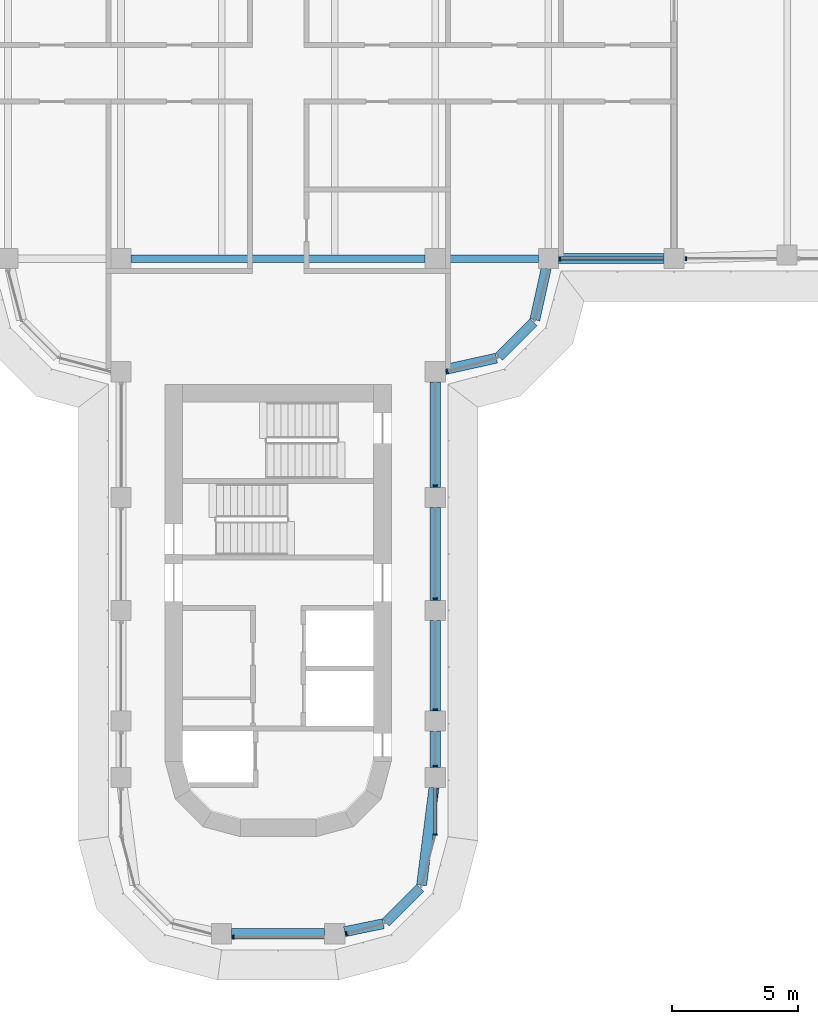
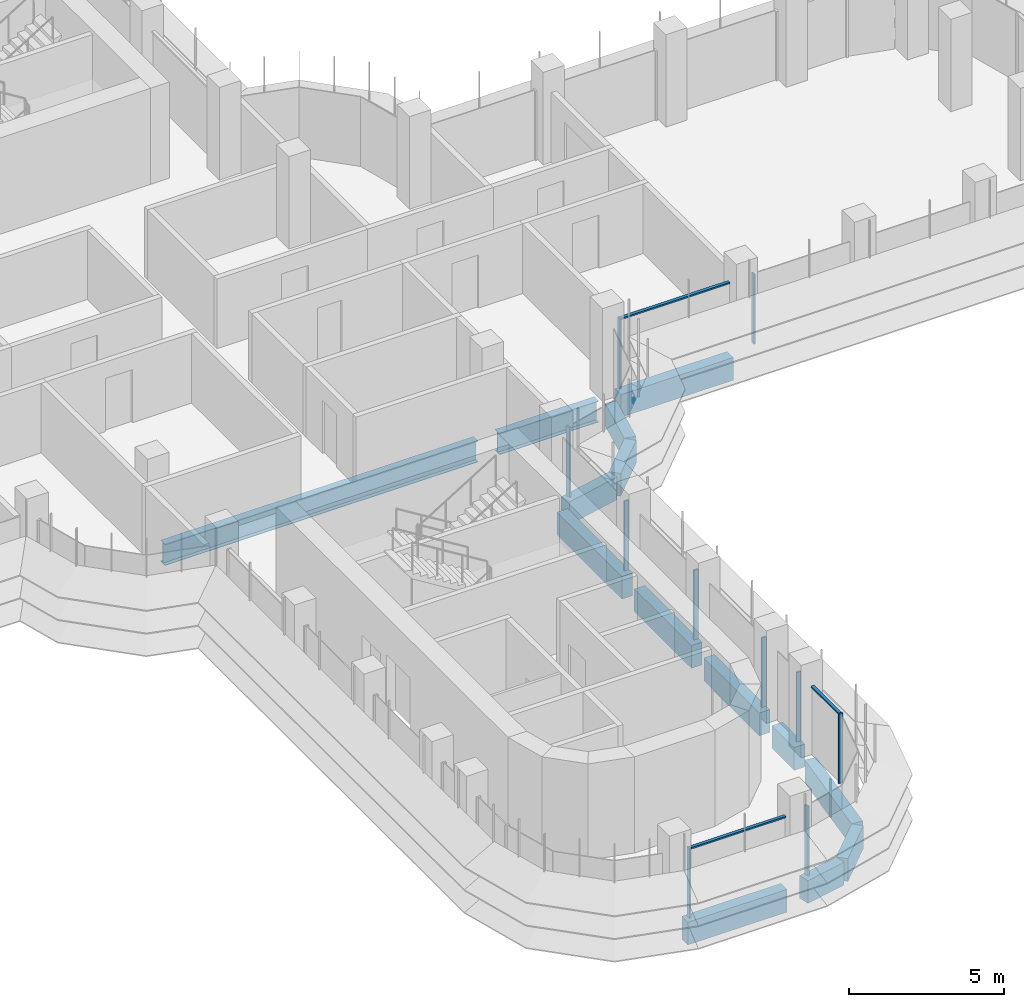
# One storey, part 4 of 20: 14 beams, 13 members, 5 elements without a shape of their own.
"""IFC4 building model written with IfcOpenShell, lengths in metres."""

from ifc_helpers import new_model, si_unit, direction, frame, origin, origin_2d, place, context, subcontext, project, spatial, polyline, rectangle, i_section, outline, extrude, source, transform, mapped, material, material_profile, profile_set, type_object, element, aggregate, save


model = new_model("IFC4")

# Units and contexts
model_context = context("Model", 3, precision=1e-05, world=origin(), true_north=direction((0.0, 1.0)))
body_context = subcontext(model_context, "Body", "Model", "MODEL_VIEW")
ifc_project = project(units=[si_unit("LENGTHUNIT", "METRE"), si_unit("AREAUNIT", "SQUARE_METRE"), si_unit("VOLUMEUNIT", "CUBIC_METRE"), si_unit("PLANEANGLEUNIT", "RADIAN"), si_unit("MASSUNIT", "GRAM", prefix="KILO")], contexts=[model_context])

# Site, building, storey
site_placement = place(None, origin())
site = spatial("IfcSite", under=ifc_project, at=site_placement, CompositionType="ELEMENT")
building_placement = place(site_placement, origin())
building = spatial("IfcBuilding", under=site, at=building_placement, Name="Zarbagh Exchange Tower", CompositionType="ELEMENT")
storey_placement = place(building_placement, frame((0.0, 0.0, 144.800048828125)))
storey = spatial("IfcBuildingStorey", under=building, at=storey_placement, Name="L34", CompositionType="ELEMENT", Elevation=144.800048828125)

# Beams
ifc_material_1 = material(Name="Steel ASTM A992 Gr 50", Category="steel")
ifc_material_profile_1 = material_profile(ifc_material_1, i_section(OverallWidth=0.2919921875, OverallDepth=0.835693359375, WebThickness=0.013916015625, FlangeThickness=0.018798828125, at=origin_2d()), Name="W33X118")
ifc_profile_set_1 = profile_set([ifc_material_profile_1], Name="Steel ASTM A992 Gr 50")
beam_type_1 = type_object("IfcBeamType", Name="Floor girder W33X118", PredefinedType="BEAM", material=ifc_profile_set_1)
beam_1_placement = place(storey_placement, frame((-5.85009765625, -6.25, -0.56787109375), z_axis=(1.0, 0.0, 0.0), x_axis=(0.0, 1.0, 0.0)))
element("IfcBeam", 1, at=beam_1_placement, inside=storey, type_object=beam_type_1, Name="Steel girder", PredefinedType="BEAM", context=body_context, shape_type="SweptSolid", body=[
    extrude(i_section(OverallWidth=0.2919921875, OverallDepth=0.835693359375, WebThickness=0.013916015625, FlangeThickness=0.018798828125, at=origin_2d()), origin(), (0.0, 0.0, 1.0), 11.7001953125),
])
beam_2_placement = place(storey_placement, frame((6.64990234375, -6.25, -0.56787109375), z_axis=(1.0, 0.0, 0.0), x_axis=(0.0, 1.0, 0.0)))
element("IfcBeam", 2, at=beam_2_placement, inside=storey, type_object=beam_type_1, Name="Steel girder", PredefinedType="BEAM", context=body_context, shape_type="SweptSolid", body=[
    extrude(i_section(OverallWidth=0.2919921875, OverallDepth=0.835693359375, WebThickness=0.013916015625, FlangeThickness=0.018798828125, at=origin_2d()), origin(), (0.0, 0.0, 1.0), 3.7001953125),
])
ifc_material_2 = material(Name="Concrete C50/60", Category="concrete")
ifc_material_profile_2 = material_profile(ifc_material_2, rectangle(XDim=0.39990234375, YDim=0.89990234375, at=origin_2d()), Name="RC spandrel beam 400 x 900 C50/60")
ifc_profile_set_2 = profile_set([ifc_material_profile_2], Name="Concrete C50/60")
beam_type_2 = type_object("IfcBeamType", Name="RC spandrel beam 400 x 900 C50/60", PredefinedType="SPANDREL", material=ifc_profile_set_2)
beam_3_placement = place(storey_placement, frame((15.35009765625, -6.25, -0.60009765625), z_axis=(-1.0, 0.0, 0.0), x_axis=(0.0, -1.0, 0.0)))
element("IfcBeam", 3, at=beam_3_placement, inside=storey, type_object=beam_type_2, Name="RC spandrel beam", PredefinedType="SPANDREL", context=body_context, shape_type="SweptSolid", body=[
    extrude(rectangle(XDim=0.39990234375, YDim=0.89990234375, at=origin_2d()), origin(), (0.0, 0.0, 1.0), 4.2001953125),
])
beam_4_placement = place(storey_placement, frame((10.66357421875, -6.640625, -0.60009765625), z_axis=(-0.216041061437, -0.976384278741, 0.0), x_axis=(0.976384278741, -0.216041061437, 0.0)))
element("IfcBeam", 4, at=beam_4_placement, inside=storey, type_object=beam_type_2, Name="RC spandrel beam", PredefinedType="SPANDREL", context=body_context, shape_type="SweptSolid", body=[
    extrude(rectangle(XDim=0.39990234375, YDim=0.89990234375, at=origin_2d()), origin(), (0.0, 0.0, 1.0), 2.0927734375),
])
beam_5_placement = place(storey_placement, frame((10.15771484375, -8.782470703125, -0.60009765625), z_axis=(-0.707106781187, -0.707106781187, 0.0), x_axis=(0.707106781187, -0.707106781187, 0.0)))
element("IfcBeam", 5, at=beam_5_placement, inside=storey, type_object=beam_type_2, Name="RC spandrel beam", PredefinedType="SPANDREL", context=body_context, shape_type="SweptSolid", body=[
    extrude(rectangle(XDim=0.39990234375, YDim=0.89990234375, at=origin_2d()), origin(), (0.0, 0.0, 1.0), 1.94482421875),
])
beam_6_placement = place(storey_placement, frame((8.68408203125, -10.21142578125, -0.60009765625), z_axis=(-0.976384278741, -0.216041061437, 0.0), x_axis=(0.216041061437, -0.976384278741, 0.0)))
element("IfcBeam", 6, at=beam_6_placement, inside=storey, type_object=beam_type_2, Name="RC spandrel beam", PredefinedType="SPANDREL", context=body_context, shape_type="SweptSolid", body=[
    extrude(rectangle(XDim=0.39990234375, YDim=0.89990234375, at=origin_2d()), origin(), (0.0, 0.0, 1.0), 2.0927734375),
])
beam_7_placement = place(storey_placement, frame((6.25, -11.14990234375, -0.60009765625), z_axis=(0.0, -1.0, 0.0), x_axis=(1.0, 0.0, 0.0)))
element("IfcBeam", 7, at=beam_7_placement, inside=storey, type_object=beam_type_2, Name="RC spandrel beam", PredefinedType="SPANDREL", context=body_context, shape_type="SweptSolid", body=[
    extrude(rectangle(XDim=0.39990234375, YDim=0.89990234375, at=origin_2d()), origin(), (0.0, 0.0, 1.0), 4.2001953125),
])
beam_8_placement = place(storey_placement, frame((6.25, -16.14990234375, -0.60009765625), z_axis=(0.0, -1.0, 0.0), x_axis=(1.0, 0.0, 0.0)))
element("IfcBeam", 8, at=beam_8_placement, inside=storey, type_object=beam_type_2, Name="RC spandrel beam", PredefinedType="SPANDREL", context=body_context, shape_type="SweptSolid", body=[
    extrude(rectangle(XDim=0.39990234375, YDim=0.89990234375, at=origin_2d()), origin(), (0.0, 0.0, 1.0), 3.7001953125),
])
beam_9_placement = place(storey_placement, frame((6.25, -20.64990234375, -0.60009765625), z_axis=(0.0, -1.0, 0.0), x_axis=(1.0, 0.0, 0.0)))
element("IfcBeam", 9, at=beam_9_placement, inside=storey, type_object=beam_type_2, Name="RC spandrel beam", PredefinedType="SPANDREL", context=body_context, shape_type="SweptSolid", body=[
    extrude(rectangle(XDim=0.39990234375, YDim=0.89990234375, at=origin_2d()), origin(), (0.0, 0.0, 1.0), 3.60009765625),
])
beam_10_placement = place(storey_placement, frame((6.25, -25.050048828125, -0.60009765625), z_axis=(0.0, -1.0, 0.0), x_axis=(1.0, 0.0, 0.0)))
element("IfcBeam", 10, at=beam_10_placement, inside=storey, type_object=beam_type_2, Name="RC spandrel beam", PredefinedType="SPANDREL", context=body_context, shape_type="SweptSolid", body=[
    extrude(rectangle(XDim=0.39990234375, YDim=0.89990234375, at=origin_2d()), origin(), (0.0, 0.0, 1.0), 1.449951171875),
])
beam_11_placement = place(storey_placement, frame((6.19970703125, -27.296875, -0.60009765625), z_axis=(-0.125956921243, -0.992035712054, 0.0), x_axis=(0.992035712054, -0.125956921243, 0.0)))
element("IfcBeam", 11, at=beam_11_placement, inside=storey, type_object=beam_type_2, Name="RC spandrel beam", PredefinedType="SPANDREL", context=body_context, shape_type="SweptSolid", body=[
    extrude(rectangle(XDim=0.39990234375, YDim=0.89990234375, at=origin_2d()), origin(), (0.0, 0.0, 1.0), 3.907470703125),
])
beam_12_placement = place(storey_placement, frame((5.650390625, -31.28955078125, -0.60009765625), z_axis=(-0.707106781187, -0.707106781187, 0.0), x_axis=(0.707106781187, -0.707106781187, 0.0)))
element("IfcBeam", 12, at=beam_12_placement, inside=storey, type_object=beam_type_2, Name="RC spandrel beam", PredefinedType="SPANDREL", context=body_context, shape_type="SweptSolid", body=[
    extrude(rectangle(XDim=0.39990234375, YDim=0.89990234375, at=origin_2d()), origin(), (0.0, 0.0, 1.0), 1.93310546875),
])
beam_13_placement = place(storey_placement, frame((4.1826171875, -32.7109375, -0.60009765625), z_axis=(-0.979350550491, -0.20216948151, 0.0), x_axis=(0.20216948151, -0.979350550491, 0.0)))
element("IfcBeam", 13, at=beam_13_placement, inside=storey, type_object=beam_type_2, Name="RC spandrel beam", PredefinedType="SPANDREL", context=body_context, shape_type="SweptSolid", body=[
    extrude(rectangle(XDim=0.39990234375, YDim=0.89990234375, at=origin_2d()), origin(), (0.0, 0.0, 1.0), 1.573486328125),
])
beam_14_placement = place(storey_placement, frame((1.85009765625, -33.110107421875, -0.60009765625), z_axis=(-1.0, 0.0, 0.0), x_axis=(0.0, -1.0, 0.0)))
element("IfcBeam", 14, at=beam_14_placement, inside=storey, type_object=beam_type_2, Name="RC spandrel beam", PredefinedType="SPANDREL", context=body_context, shape_type="SweptSolid", body=[
    extrude(rectangle(XDim=0.39990234375, YDim=0.89990234375, at=origin_2d()), origin(), (0.0, 0.0, 1.0), 3.7001953125),
])

# Curtain wall, member
ifc_material_3 = material(Name="Anodised aluminium frame and glazing", Category="aluminium")
curtain_wall_type = type_object("IfcCurtainWallType", Name="CWB Ribbon glazing, upper zones", PredefinedType="NOTDEFINED", material=ifc_material_3)
curtain_wall_1_placement = place(storey_placement, origin())
curtain_wall_1 = element("IfcCurtainWall", 15, at=curtain_wall_1_placement, inside=storey, type_object=curtain_wall_type, Name="CWB01 curtain wall", PredefinedType="NOTDEFINED")
ifc_material_4 = material(Name="Anodised aluminium frame", Category="aluminium")
member_type_1 = type_object("IfcMemberType", Name="MUB Mullion, anodised aluminium frame", PredefinedType="MULLION", material=ifc_material_4)
shared_shape_1 = source(origin(), body_context, "Body", "SweptSolid", [
    extrude(outline(polyline([(0.0, -0.080078125), (0.06005859375, -0.080078125), (0.06005859375, 0.080078125), (0.0, 0.080078125), (0.0, -0.080078125)])), origin(), (0.0, 0.0, 1.0), 2.75),
])
placement = place(storey_placement, origin())
member_1 = element("IfcMember", 16, at=placement, type_object=member_type_1, Name="CWB01 mullion 1.1", PredefinedType="MULLION", context=body_context, shape_type="MappedRepresentation", body=[
    mapped(shared_shape_1, transform((2.68994140625, -33.114501953125, 0.0), x_axis=(0.965924289636, 0.258824779902, 0.0), y_axis=(-0.258824779902, 0.965924289636, 0.0), z_axis=(0.0, 0.0, 1.0))),
])
aggregate(curtain_wall_1, [member_1])

# Curtain wall, members
curtain_wall_2_placement = place(storey_placement, origin())
curtain_wall_2 = element("IfcCurtainWall", 17, at=curtain_wall_2_placement, inside=storey, type_object=curtain_wall_type, Name="CWB04 curtain wall", PredefinedType="NOTDEFINED")
member_2 = element("IfcMember", 18, at=placement, type_object=member_type_1, Name="CWB04 mullion 1.1", PredefinedType="MULLION", context=body_context, shape_type="MappedRepresentation", body=[
    mapped(shared_shape_1, transform((6.25, -29.18408203125, 0.0), x_axis=(0.0, 1.0, 0.0), y_axis=(-1.0, 0.0, 0.0), z_axis=(0.0, 0.0, 1.0))),
])
member_3 = element("IfcMember", 19, at=placement, type_object=member_type_1, Name="CWB04 mullion 2.1", PredefinedType="MULLION", context=body_context, shape_type="MappedRepresentation", body=[
    mapped(shared_shape_1, transform((6.25, -26.4599609375, 0.0), x_axis=(0.0, 1.0, 0.0), y_axis=(-1.0, 0.0, 0.0), z_axis=(0.0, 0.0, 1.0))),
])
member_4 = element("IfcMember", 20, at=placement, type_object=member_type_1, Name="CWB04 mullion 3.1", PredefinedType="MULLION", context=body_context, shape_type="MappedRepresentation", body=[
    mapped(shared_shape_1, transform((6.25, -24.2099609375, 0.0), x_axis=(0.0, 1.0, 0.0), y_axis=(-1.0, 0.0, 0.0), z_axis=(0.0, 0.0, 1.0))),
])
member_5 = element("IfcMember", 21, at=placement, type_object=member_type_1, Name="CWB04 mullion 4.1", PredefinedType="MULLION", context=body_context, shape_type="MappedRepresentation", body=[
    mapped(shared_shape_1, transform((6.25, -19.81005859375, 0.0), x_axis=(0.0, 1.0, 0.0), y_axis=(-1.0, 0.0, 0.0), z_axis=(0.0, 0.0, 1.0))),
])
member_6 = element("IfcMember", 22, at=placement, type_object=member_type_1, Name="CWB04 mullion 5.1", PredefinedType="MULLION", context=body_context, shape_type="MappedRepresentation", body=[
    mapped(shared_shape_1, transform((6.25, -15.31005859375, 0.0), x_axis=(0.0, 1.0, 0.0), y_axis=(-1.0, 0.0, 0.0), z_axis=(0.0, 0.0, 1.0))),
])

# Curtain wall, member
curtain_wall_3_placement = place(storey_placement, origin())
curtain_wall_3 = element("IfcCurtainWall", 23, at=curtain_wall_3_placement, inside=storey, type_object=curtain_wall_type, Name="CWB05 curtain wall", PredefinedType="NOTDEFINED")
member_7 = element("IfcMember", 24, at=placement, type_object=member_type_1, Name="CWB05 mullion 1.1", PredefinedType="MULLION", context=body_context, shape_type="MappedRepresentation", body=[
    mapped(shared_shape_1, transform((6.68994140625, -10.74853515625, 0.0), x_axis=(0.965924289636, 0.258824779902, 0.0), y_axis=(-0.258824779902, 0.965924289636, 0.0), z_axis=(0.0, 0.0, 1.0))),
])
aggregate(curtain_wall_3, [member_7])

# Curtain wall, members
curtain_wall_4_placement = place(storey_placement, origin())
curtain_wall_4 = element("IfcCurtainWall", 25, at=curtain_wall_4_placement, inside=storey, type_object=curtain_wall_type, Name="CWB08 curtain wall", PredefinedType="NOTDEFINED")
member_8 = element("IfcMember", 26, at=placement, type_object=member_type_1, Name="CWB08 mullion 1.1", PredefinedType="MULLION", context=body_context, shape_type="MappedRepresentation", body=[
    mapped(shared_shape_1, transform((11.18994140625, -6.25, 0.0), x_axis=(1.0, 0.0, 0.0), y_axis=(0.0, 1.0, 0.0), z_axis=(0.0, 0.0, 1.0))),
])
member_9 = element("IfcMember", 27, at=placement, type_object=member_type_1, Name="CWB08 mullion 2.1", PredefinedType="MULLION", context=body_context, shape_type="MappedRepresentation", body=[
    mapped(shared_shape_1, transform((16.18994140625, -6.25, 0.0), x_axis=(1.0, 0.0, 0.0), y_axis=(0.0, 1.0, 0.0), z_axis=(0.0, 0.0, 1.0))),
])

# Curtain wall, member
curtain_wall_5_placement = place(storey_placement, origin())
curtain_wall_5 = element("IfcCurtainWall", 28, at=curtain_wall_5_placement, inside=storey, type_object=curtain_wall_type, Name="CWB48 curtain wall", PredefinedType="NOTDEFINED")
member_10 = element("IfcMember", 29, at=placement, type_object=member_type_1, Name="CWB48 mullion 1.1", PredefinedType="MULLION", context=body_context, shape_type="MappedRepresentation", body=[
    mapped(shared_shape_1, transform((-1.81005859375, -33.25, 0.0), x_axis=(1.0, 0.0, 0.0), y_axis=(0.0, 1.0, 0.0), z_axis=(0.0, 0.0, 1.0))),
])

# Member
member_type_2 = type_object("IfcMemberType", Name="TRB Transom, anodised aluminium frame", PredefinedType="USERDEFINED", material=ifc_material_4)
shared_shape_2 = source(origin(), body_context, "Body", "SweptSolid", [
    extrude(outline(polyline([(-0.06005859375, -0.06005859375), (0.0, -0.06005859375), (0.0, 0.06005859375), (-0.06005859375, 0.06005859375), (-0.06005859375, -0.06005859375)])), origin(), (0.0, 0.0, 1.0), 1.7841796875),
])
member_11 = element("IfcMember", 30, at=placement, type_object=member_type_2, Name="CWB04 transom 1.1", ObjectType="TRANSOM", PredefinedType="USERDEFINED", context=body_context, shape_type="MappedRepresentation", body=[
    mapped(shared_shape_2, transform((6.25, -29.124267578125, 2.75), x_axis=(0.0, 0.0, 1.0), y_axis=(1.0, 0.0, 0.0), z_axis=(0.0, 1.0, 0.0))),
])

aggregate(curtain_wall_2, [member_2, member_11, member_3, member_4, member_5, member_6])

shared_shape_3 = source(origin(), body_context, "Body", "SweptSolid", [
    extrude(outline(polyline([(-0.06005859375, -0.06005859375), (0.0, -0.06005859375), (0.0, 0.06005859375), (-0.06005859375, 0.06005859375), (-0.06005859375, -0.06005859375)])), origin(), (0.0, 0.0, 1.0), 4.06005859375),
])
member_12 = element("IfcMember", 31, at=placement, type_object=member_type_2, Name="CWB08 transom 1.1", ObjectType="TRANSOM", PredefinedType="USERDEFINED", context=body_context, shape_type="MappedRepresentation", body=[
    mapped(shared_shape_3, transform((11.25, -6.25, 2.75), x_axis=(0.0, 0.0, 1.0), y_axis=(0.0, -1.0, 0.0), z_axis=(1.0, 0.0, 0.0))),
])

aggregate(curtain_wall_4, [member_8, member_12, member_9])

shared_shape_4 = source(origin(), body_context, "Body", "SweptSolid", [
    extrude(outline(polyline([(-0.06005859375, -0.06005859375), (0.0, -0.06005859375), (0.0, 0.06005859375), (-0.06005859375, 0.06005859375), (-0.06005859375, -0.06005859375)])), origin(), (0.0, 0.0, 1.0), 3.56005859375),
])
member_13 = element("IfcMember", 32, at=placement, type_object=member_type_2, Name="CWB48 transom 1.1", ObjectType="TRANSOM", PredefinedType="USERDEFINED", context=body_context, shape_type="MappedRepresentation", body=[
    mapped(shared_shape_4, transform((-1.75, -33.25, 2.75), x_axis=(0.0, 0.0, 1.0), y_axis=(0.0, -1.0, 0.0), z_axis=(1.0, 0.0, 0.0))),
])

aggregate(curtain_wall_5, [member_10, member_13])

save(model, "model.ifc")
